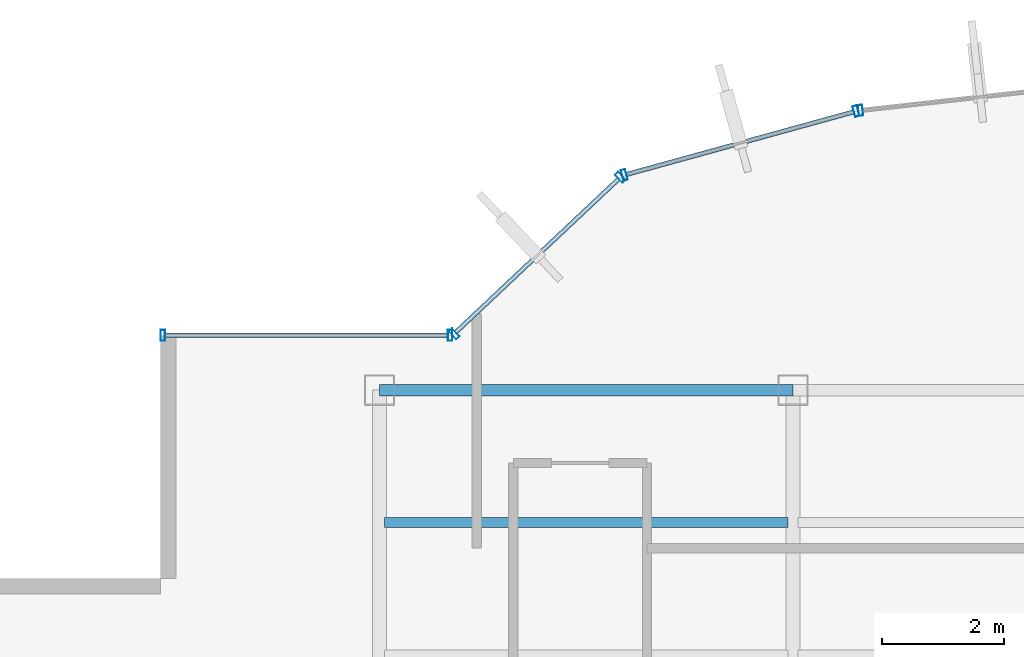
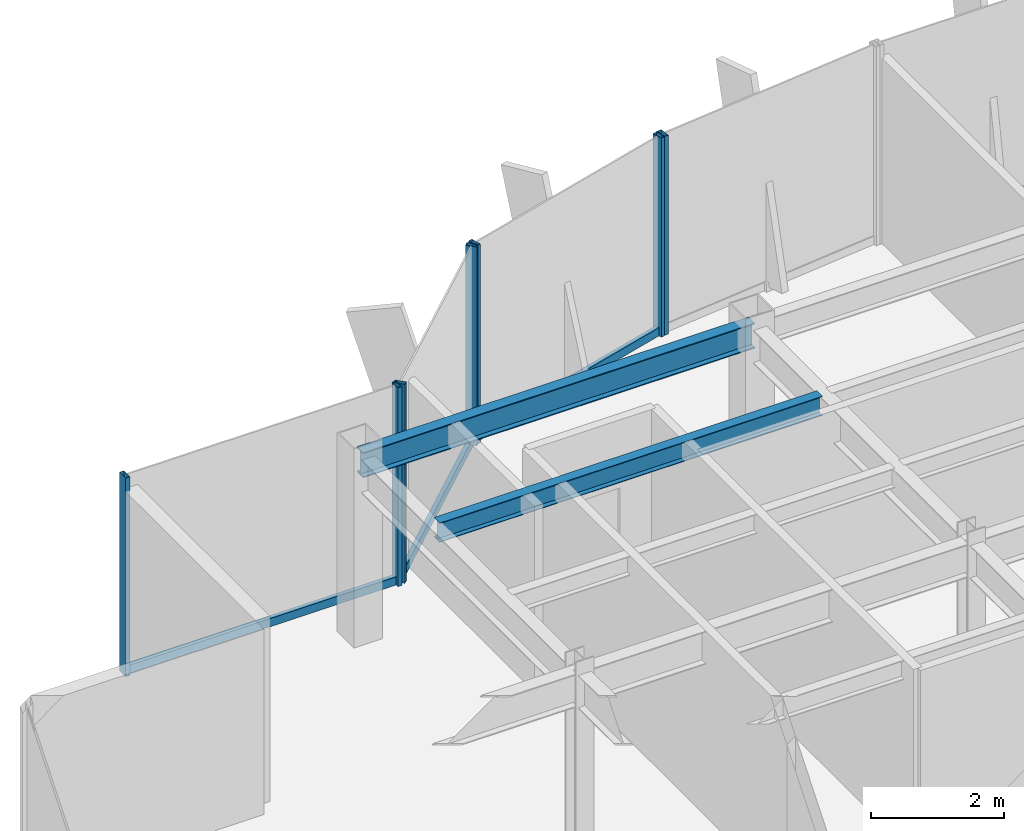
# One storey, part 11 of 21: 10 members, 2 beams, 4 elements without a shape of their own.
"""IFC4 building model written with IfcOpenShell, lengths in metres."""

from ifc_helpers import new_model, si_unit, derived_unit, direction, frame, origin, origin_2d, place, context, subcontext, project, spatial, hollow_rectangle, i_section, extrude, source, transform, mapped, material, material_profile, profile_set, type_object, element, aggregate, save


model = new_model("IFC4")

# Units and contexts
model_context = context("Model", 3, precision=1e-05, world=origin(), true_north=direction((0.0, 1.0)))
body_context = subcontext(model_context, "Body", "Model", "MODEL_VIEW")
ifc_project = project(units=[si_unit("LENGTHUNIT", "METRE"), si_unit("AREAUNIT", "SQUARE_METRE"), si_unit("VOLUMEUNIT", "CUBIC_METRE"), si_unit("PLANEANGLEUNIT", "RADIAN"), si_unit("MASSUNIT", "GRAM", prefix="KILO"), derived_unit("THERMALTRANSMITTANCEUNIT", [(si_unit("POWERUNIT", "WATT"), 1), (si_unit("LENGTHUNIT", "METRE"), -2), (si_unit("THERMODYNAMICTEMPERATUREUNIT", "KELVIN"), -1)])], contexts=[model_context])

# Site, building, storey
site_placement = place(None, origin())
site = spatial("IfcSite", under=ifc_project, at=site_placement, CompositionType="ELEMENT")
building_placement = place(site_placement, origin())
building = spatial("IfcBuilding", under=site, at=building_placement, Name="Skarnbrae Concourse Arena and Tower", CompositionType="ELEMENT")
storey_placement = place(building_placement, frame((0.0, 0.0, 188.60009765625)))
storey = spatial("IfcBuildingStorey", under=building, at=storey_placement, Name="L48", CompositionType="ELEMENT", Elevation=188.60009765625)

# Beams
ifc_material_1 = material(Name="Steel CSA G40.21 350W", Category="steel")
ifc_material_profile_1 = material_profile(ifc_material_1, i_section(OverallWidth=0.19091796875, OverallDepth=0.4599609375, WebThickness=0.010009765625, FlangeThickness=0.01611328125, at=origin_2d()), Name="W460X82")
ifc_profile_set_1 = profile_set([ifc_material_profile_1], Name="Steel CSA G40.21 350W")
beam_type_1 = type_object("IfcBeamType", Name="BM-SPAN-W460X82", PredefinedType="SPANDREL", material=ifc_profile_set_1)
shared_shape_1 = source(origin(), body_context, "Body", "SweptSolid", [
    extrude(i_section(OverallWidth=0.19091796875, OverallDepth=0.4599609375, WebThickness=0.010009765625, FlangeThickness=0.01611328125, at=origin_2d()), origin(), (0.0, 0.0, 1.0), 6.7998046875),
])
beam_1_placement = place(storey_placement, frame((7.60009765625, 34.39990234375, 3.169921875), z_axis=(1.0, 0.0, 0.0), x_axis=(0.0, 1.0, 0.0)))
element("IfcBeam", 1, at=beam_1_placement, inside=storey, type_object=beam_type_1, Name="L48 Perimeter spandrel Y34.4-1", PredefinedType="SPANDREL", context=body_context, shape_type="MappedRepresentation", body=[
    mapped(shared_shape_1, transform((0.0, 0.0, 0.0))),
])
ifc_material_profile_2 = material_profile(ifc_material_1, i_section(OverallWidth=0.1708984375, OverallDepth=0.35498046875, WebThickness=0.007080078125, FlangeThickness=0.01171875, at=origin_2d()), Name="W360X51")
ifc_profile_set_2 = profile_set([ifc_material_profile_2], Name="Steel CSA G40.21 350W")
beam_type_2 = type_object("IfcBeamType", Name="BM-JOIST-W360X51", PredefinedType="JOIST", material=ifc_profile_set_2)
shared_shape_2 = source(origin(), body_context, "Body", "SweptSolid", [
    extrude(i_section(OverallWidth=0.1708984375, OverallDepth=0.35498046875, WebThickness=0.007080078125, FlangeThickness=0.01171875, at=origin_2d()), origin(), (0.0, 0.0, 1.0), 6.64013671875),
])
beam_2_placement = place(storey_placement, frame((7.679931640625, 32.221923828125, 3.222412109375), z_axis=(1.0, 0.0, 0.0), x_axis=(0.0, 1.0, 0.0)))
element("IfcBeam", 2, at=beam_2_placement, inside=storey, type_object=beam_type_2, Name="L48 Secondary floor joist 3.2.1", PredefinedType="JOIST", context=body_context, shape_type="MappedRepresentation", body=[
    mapped(shared_shape_2, transform((0.0, 0.0, 0.0))),
])

# Curtain wall, member
ifc_material_2 = material(Name="Bronze anodised aluminium 6063-T6", Category="aluminium")
curtain_wall_type = type_object("IfcCurtainWallType", Name="CW-SYS-05-HIGHZONE", PredefinedType="USERDEFINED", material=ifc_material_2)
curtain_wall_1_placement = place(storey_placement, origin())
curtain_wall_1 = element("IfcCurtainWall", 3, at=curtain_wall_1_placement, inside=storey, type_object=curtain_wall_type, Name="L48 Unitised curtain wall CW-L48-E12", ObjectType="UNITISED CURTAIN WALL", PredefinedType="USERDEFINED")
ifc_material_profile_3 = material_profile(ifc_material_2, hollow_rectangle(XDim=0.074951171875, YDim=0.179931640625, WallThickness=0.00390625, at=origin_2d()), Name="ALU-MULL-75X180")
ifc_profile_set_3 = profile_set([ifc_material_profile_3], Name="Bronze anodised aluminium 6063-T6")
member_type_1 = type_object("IfcMemberType", Name="CWM-CW-05", PredefinedType="MULLION", material=ifc_profile_set_3)
shared_shape_3 = source(origin(), body_context, "Body", "SweptSolid", [
    extrude(hollow_rectangle(XDim=0.074951171875, YDim=0.179931640625, WallThickness=0.00390625, at=origin_2d()), origin(), (0.0, 0.0, 1.0), 3.64990234375),
])
member_1_placement = place(storey_placement, frame((15.511474609375, 39.001220703125, 0.0), z_axis=(0.0, 0.0, 1.0), x_axis=(-0.993768891873, -0.111460259941, 0.0)))
member_1 = element("IfcMember", 4, at=member_1_placement, type_object=member_type_1, Name="CW-L48-E12 Mullion 2", PredefinedType="MULLION", context=body_context, shape_type="MappedRepresentation", body=[
    mapped(shared_shape_3, transform((0.0, 0.0, 0.0))),
])
aggregate(curtain_wall_1, [member_1])

# Curtain wall, members
curtain_wall_2_placement = place(storey_placement, origin())
curtain_wall_2 = element("IfcCurtainWall", 5, at=curtain_wall_2_placement, inside=storey, type_object=curtain_wall_type, Name="L48 Unitised curtain wall CW-L48-E13", ObjectType="UNITISED CURTAIN WALL", PredefinedType="USERDEFINED")
member_2_placement = place(storey_placement, frame((15.43798828125, 38.987060546875, 0.0), z_axis=(0.0, 0.0, 1.0), x_axis=(-0.964057388766, -0.265694093207, 0.0)))
member_2 = element("IfcMember", 6, at=member_2_placement, type_object=member_type_1, Name="CW-L48-E13 Mullion 1", PredefinedType="MULLION", context=body_context, shape_type="MappedRepresentation", body=[
    mapped(shared_shape_3, transform((0.0, 0.0, 0.0))),
])
member_3_placement = place(storey_placement, frame((11.62646484375, 37.936767578125, 0.0), z_axis=(0.0, 0.0, 1.0), x_axis=(-0.964057388766, -0.265694093207, 0.0)))
member_3 = element("IfcMember", 7, at=member_3_placement, type_object=member_type_1, Name="CW-L48-E13 Mullion 2", PredefinedType="MULLION", context=body_context, shape_type="MappedRepresentation", body=[
    mapped(shared_shape_3, transform((0.0, 0.0, 0.0))),
])

curtain_wall_3_placement = place(storey_placement, origin())
curtain_wall_3 = element("IfcCurtainWall", 8, at=curtain_wall_3_placement, inside=storey, type_object=curtain_wall_type, Name="L48 Unitised curtain wall CW-L48-E14", ObjectType="UNITISED CURTAIN WALL", PredefinedType="USERDEFINED")
member_4_placement = place(storey_placement, frame((11.56298828125, 37.90087890625, 0.0), z_axis=(0.0, 0.0, 1.0), x_axis=(-0.728130555214, -0.685438468838, 0.0)))
member_4 = element("IfcMember", 9, at=member_4_placement, type_object=member_type_1, Name="CW-L48-E14 Mullion 1", PredefinedType="MULLION", context=body_context, shape_type="MappedRepresentation", body=[
    mapped(shared_shape_3, transform((0.0, 0.0, 0.0))),
])
member_5_placement = place(storey_placement, frame((8.827392578125, 35.32568359375, 0.0), z_axis=(0.0, 0.0, 1.0), x_axis=(-0.728130555214, -0.685438468838, 0.0)))
member_5 = element("IfcMember", 10, at=member_5_placement, type_object=member_type_1, Name="CW-L48-E14 Mullion 2", PredefinedType="MULLION", context=body_context, shape_type="MappedRepresentation", body=[
    mapped(shared_shape_3, transform((0.0, 0.0, 0.0))),
])

curtain_wall_4_placement = place(storey_placement, origin())
curtain_wall_4 = element("IfcCurtainWall", 11, at=curtain_wall_4_placement, inside=storey, type_object=curtain_wall_type, Name="L48 Unitised curtain wall CW-L48-E15", ObjectType="UNITISED CURTAIN WALL", PredefinedType="USERDEFINED")
member_6_placement = place(storey_placement, frame((8.762451171875, 35.300048828125, 0.0), z_axis=(0.0, 0.0, 1.0), x_axis=(-1.0, 0.0, 0.0)))
member_6 = element("IfcMember", 12, at=member_6_placement, type_object=member_type_1, Name="CW-L48-E15 Mullion 1", PredefinedType="MULLION", context=body_context, shape_type="MappedRepresentation", body=[
    mapped(shared_shape_3, transform((0.0, 0.0, 0.0))),
])
member_7_placement = place(storey_placement, frame((4.03759765625, 35.300048828125, 0.0), z_axis=(0.0, 0.0, 1.0), x_axis=(-1.0, 0.0, 0.0)))
member_7 = element("IfcMember", 13, at=member_7_placement, type_object=member_type_1, Name="CW-L48-E15 Mullion 2", PredefinedType="MULLION", context=body_context, shape_type="MappedRepresentation", body=[
    mapped(shared_shape_3, transform((0.0, 0.0, 0.0))),
])
ifc_material_profile_4 = material_profile(ifc_material_2, hollow_rectangle(XDim=0.074951171875, YDim=0.14990234375, WallThickness=0.00390625, at=origin_2d()), Name="ALU-TRAN-75X150")
ifc_profile_set_4 = profile_set([ifc_material_profile_4], Name="Bronze anodised aluminium 6063-T6")
member_type_2 = type_object("IfcMemberType", Name="CWT-CW-05", PredefinedType="USERDEFINED", material=ifc_profile_set_4)
shared_shape_4 = source(origin(), body_context, "Body", "SweptSolid", [
    extrude(hollow_rectangle(XDim=0.074951171875, YDim=0.14990234375, WallThickness=0.00390625, at=origin_2d()), origin(), (0.0, 0.0, 1.0), 4.650146484375),
])
member_8_placement = place(storey_placement, frame((8.72509765625, 35.300048828125, 0.074951171875), z_axis=(-1.0, 0.0, 0.0), x_axis=(0.0, -1.0, 0.0)))
member_8 = element("IfcMember", 14, at=member_8_placement, type_object=member_type_2, Name="CW-L48-E15 Transom 1", ObjectType="TRANSOM", PredefinedType="USERDEFINED", context=body_context, shape_type="MappedRepresentation", body=[
    mapped(shared_shape_4, transform((0.0, 0.0, 0.0))),
])
aggregate(curtain_wall_4, [member_6, member_7, member_8])

# Member
shared_shape_5 = source(origin(), body_context, "Body", "SweptSolid", [
    extrude(hollow_rectangle(XDim=0.074951171875, YDim=0.14990234375, WallThickness=0.00390625, at=origin_2d()), origin(), (0.0, 0.0, 1.0), 3.68212890625),
])
member_9_placement = place(storey_placement, frame((11.53564453125, 37.875244140625, 0.074951171875), z_axis=(-0.728133808476, -0.685435012933, 0.0), x_axis=(0.685435012933, -0.728133808476, 0.0)))
member_9 = element("IfcMember", 15, at=member_9_placement, type_object=member_type_2, Name="CW-L48-E14 Transom 1", ObjectType="TRANSOM", PredefinedType="USERDEFINED", context=body_context, shape_type="MappedRepresentation", body=[
    mapped(shared_shape_5, transform((0.0, 0.0, 0.0))),
])

aggregate(curtain_wall_3, [member_4, member_5, member_9])

shared_shape_6 = source(origin(), body_context, "Body", "SweptSolid", [
    extrude(hollow_rectangle(XDim=0.074951171875, YDim=0.14990234375, WallThickness=0.00390625, at=origin_2d()), origin(), (0.0, 0.0, 1.0), 3.878662109375),
])
member_10_placement = place(storey_placement, frame((15.40185546875, 38.977294921875, 0.074951171875), z_axis=(-0.964042677713, -0.265747465742, 0.0), x_axis=(0.265747465742, -0.964042677713, 0.0)))
member_10 = element("IfcMember", 16, at=member_10_placement, type_object=member_type_2, Name="CW-L48-E13 Transom 1", ObjectType="TRANSOM", PredefinedType="USERDEFINED", context=body_context, shape_type="MappedRepresentation", body=[
    mapped(shared_shape_6, transform((0.0, 0.0, 0.0))),
])

aggregate(curtain_wall_2, [member_2, member_3, member_10])

save(model, "model.ifc")
